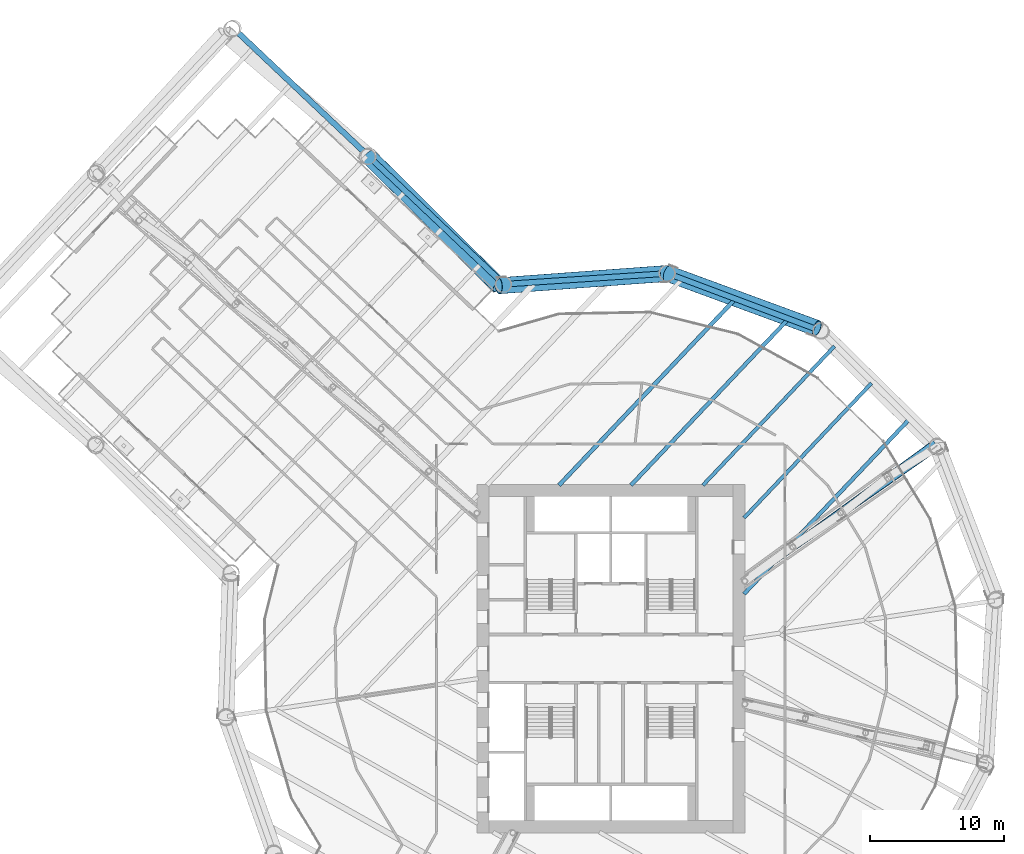
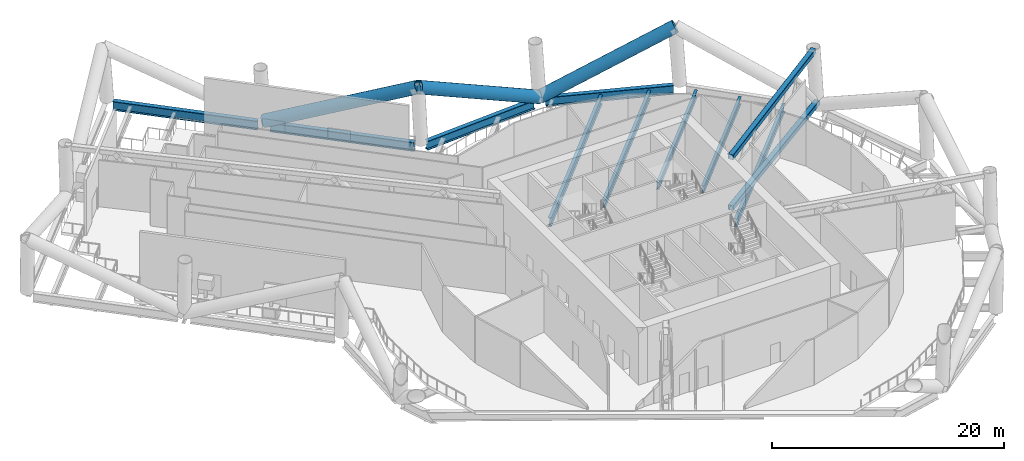
# One storey, part 11 of 39: 9 beams, 5 members.
"""IFC4 building model written with IfcOpenShell, lengths in metres."""

from ifc_helpers import new_model, si_unit, direction, frame, origin, origin_2d, place, context, subcontext, project, spatial, hollow_rectangle, hollow_circle, i_section, extrude, material, material_profile, profile_set, type_object, element, save


model = new_model("IFC4")

# Units and contexts
model_context = context("Model", 3, precision=1e-05, world=origin(), true_north=direction((0.0, 1.0)))
body_context = subcontext(model_context, "Body", "Model", "MODEL_VIEW")
ifc_project = project(units=[si_unit("LENGTHUNIT", "METRE"), si_unit("AREAUNIT", "SQUARE_METRE"), si_unit("VOLUMEUNIT", "CUBIC_METRE"), si_unit("PLANEANGLEUNIT", "RADIAN"), si_unit("MASSUNIT", "GRAM", prefix="KILO")], contexts=[model_context])

# Site, building, storey
site_placement = place(None, origin())
site = spatial("IfcSite", under=ifc_project, at=site_placement, CompositionType="ELEMENT")
building_placement = place(site_placement, origin())
building = spatial("IfcBuilding", under=site, at=building_placement, Name="Tarsis Ring Headquarters", CompositionType="ELEMENT")
storey_placement = place(building_placement, frame((0.0, 0.0, 86.800048828125)))
storey = spatial("IfcBuildingStorey", under=building, at=storey_placement, Name="L19", CompositionType="ELEMENT", Elevation=86.800048828125)

# Beams
ifc_material_1 = material(Name="Structural steel S355", Category="steel")
ifc_material_profile_1 = material_profile(ifc_material_1, i_section(OverallWidth=0.2666015625, OverallDepth=0.7568359375, WebThickness=0.013916015625, FlangeThickness=0.019287109375, at=origin_2d()), Name="W30x108")
ifc_profile_set_1 = profile_set([ifc_material_profile_1], Name="Structural steel S355")
beam_type_1 = type_object("IfcBeamType", Name="FB Floor beam W30x108", PredefinedType="JOIST", material=ifc_profile_set_1)
beam_1_placement = place(storey_placement, frame((19.447021484375, 20.550048828125, -0.678466796875), z_axis=(-0.687351767378, -0.726324684891, 0.0), x_axis=(0.726324684891, -0.687351767378, 0.0)))
element("IfcBeam", 1, at=beam_1_placement, inside=storey, type_object=beam_type_1, Name="Floor beam FB6", PredefinedType="JOIST", context=body_context, shape_type="SweptSolid", body=[
    extrude(i_section(OverallWidth=0.2666015625, OverallDepth=0.7568359375, WebThickness=0.013916015625, FlangeThickness=0.019287109375, at=origin_2d()), origin(), (0.0, 0.0, 1.0), 13.84423828125),
])
beam_2_placement = place(storey_placement, frame((16.683837890625, 23.30419921875, -0.678466796875), z_axis=(-0.687339751998, -0.726336055365, 0.0), x_axis=(0.726336055365, -0.687339751998, 0.0)))
element("IfcBeam", 2, at=beam_2_placement, inside=storey, type_object=beam_type_1, Name="Floor beam FB6", PredefinedType="JOIST", context=body_context, shape_type="SweptSolid", body=[
    extrude(i_section(OverallWidth=0.2666015625, OverallDepth=0.7568359375, WebThickness=0.013916015625, FlangeThickness=0.019287109375, at=origin_2d()), origin(), (0.0, 0.0, 1.0), 14.28662109375),
])
ifc_material_profile_2 = material_profile(ifc_material_1, i_section(OverallWidth=0.2919921875, OverallDepth=0.835693359375, WebThickness=0.013916015625, FlangeThickness=0.018798828125, at=origin_2d()), Name="W33x118")
ifc_profile_set_2 = profile_set([ifc_material_profile_2], Name="Structural steel S355")
beam_type_2 = type_object("IfcBeamType", Name="FB Floor beam W33x118", PredefinedType="JOIST", material=ifc_profile_set_2)
beam_3_placement = place(storey_placement, frame((22.2099609375, 17.7958984375, -0.718017578125), z_axis=(-0.687342727641, -0.72633323947, 0.0), x_axis=(0.72633323947, -0.687342727641, 0.0)))
element("IfcBeam", 3, at=beam_3_placement, inside=storey, type_object=beam_type_2, Name="Floor beam FB7", PredefinedType="JOIST", context=body_context, shape_type="SweptSolid", body=[
    extrude(i_section(OverallWidth=0.2919921875, OverallDepth=0.835693359375, WebThickness=0.013916015625, FlangeThickness=0.018798828125, at=origin_2d()), origin(), (0.0, 0.0, 1.0), 17.8642578125),
])
beam_4_placement = place(storey_placement, frame((13.165771484375, 25.2607421875, -0.718017578125), z_axis=(-0.68734175572, -0.726334159216, 0.0), x_axis=(0.726334159216, -0.68734175572, 0.0)))
element("IfcBeam", 4, at=beam_4_placement, inside=storey, type_object=beam_type_2, Name="Floor beam FB7", PredefinedType="JOIST", context=body_context, shape_type="SweptSolid", body=[
    extrude(i_section(OverallWidth=0.2919921875, OverallDepth=0.835693359375, WebThickness=0.013916015625, FlangeThickness=0.018798828125, at=origin_2d()), origin(), (0.0, 0.0, 1.0), 16.98046875),
])
ifc_material_profile_3 = material_profile(ifc_material_1, i_section(OverallWidth=0.3046875, OverallDepth=0.904296875, WebThickness=0.01513671875, FlangeThickness=0.02001953125, at=origin_2d()), Name="W36x135")
ifc_profile_set_3 = profile_set([ifc_material_profile_3], Name="Structural steel S355")
beam_type_3 = type_object("IfcBeamType", Name="FB Floor beam W36x135", PredefinedType="JOIST", material=ifc_profile_set_3)
beam_5_placement = place(storey_placement, frame((9.203125, 26.747314453125, -0.752197265625), z_axis=(-0.687340949329, -0.726334922316, 0.0), x_axis=(0.726334922316, -0.687340949329, 0.0)))
element("IfcBeam", 5, at=beam_5_placement, inside=storey, type_object=beam_type_3, Name="Floor beam FB8", PredefinedType="JOIST", context=body_context, shape_type="SweptSolid", body=[
    extrude(i_section(OverallWidth=0.3046875, OverallDepth=0.904296875, WebThickness=0.01513671875, FlangeThickness=0.02001953125, at=origin_2d()), origin(), (0.0, 0.0, 1.0), 19.027099609375),
])

# Members
ifc_material_profile_4 = material_profile(ifc_material_1, hollow_rectangle(XDim=0.508056640625, YDim=0.508056640625, WallThickness=0.025390625, InnerFilletRadius=0.025390625, OuterFilletRadius=0.05078125, at=origin_2d()), Name="HSS 508x508x25")
ifc_profile_set_4 = profile_set([ifc_material_profile_4], Name="Structural steel S355")
member_type_1 = type_object("IfcMemberType", Name="OC Outrigger chord HSS 508x508x25", PredefinedType="CHORD", material=ifc_profile_set_4)
member_1_placement = place(storey_placement, frame((10.0, 5.782958984375, 0.25390625), z_axis=(0.820381726586, 0.571816249055, 0.0), x_axis=(-0.571816249055, 0.820381726586, 0.0)))
element("IfcMember", 6, at=member_1_placement, inside=storey, type_object=member_type_1, Name="Outrigger chord OC1", PredefinedType="CHORD", context=body_context, shape_type="SweptSolid", body=[
    extrude(hollow_rectangle(XDim=0.508056640625, YDim=0.508056640625, WallThickness=0.025390625, InnerFilletRadius=0.025390625, OuterFilletRadius=0.05078125, at=origin_2d()), origin(), (0.0, 0.0, 1.0), 17.521484375),
])
member_2_placement = place(storey_placement, frame((10.0, 5.782958984375, 5.5859375), z_axis=(0.808763177449, 0.588134442795, 0.0), x_axis=(-0.588134442795, 0.808763177449, 0.0)))
element("IfcMember", 7, at=member_2_placement, inside=storey, type_object=member_type_1, Name="Outrigger chord OC1", PredefinedType="CHORD", context=body_context, shape_type="SweptSolid", body=[
    extrude(hollow_rectangle(XDim=0.508056640625, YDim=0.508056640625, WallThickness=0.025390625, InnerFilletRadius=0.025390625, OuterFilletRadius=0.05078125, at=origin_2d()), origin(), (0.0, 0.0, 1.0), 17.53466796875),
])
ifc_material_2 = material(Name="Structural steel S460", Category="steel")
ifc_material_profile_5 = material_profile(ifc_material_2, hollow_circle(Radius=0.609619140625, WallThickness=0.050048828125, at=origin_2d()), Name="CHS 1219x50")
ifc_profile_set_5 = profile_set([ifc_material_profile_5], Name="Structural steel S460")
member_type_2 = type_object("IfcMemberType", Name="TD Belt truss diagonal CHS 1219x50", PredefinedType="BRACE", material=ifc_profile_set_5)
member_3_placement = place(storey_placement, frame((4.23974609375, 28.737548828125, 0.0), z_axis=(0.837597222109, -0.307739750332, 0.451361428991), x_axis=(0.344867794947, 0.938651268581, 0.0)))
element("IfcMember", 8, at=member_3_placement, inside=storey, type_object=member_type_2, Name="Belt truss diagonal TD1", PredefinedType="BRACE", context=body_context, shape_type="SweptSolid", body=[
    extrude(hollow_circle(Radius=0.609619140625, WallThickness=0.050048828125, at=origin_2d()), origin(), (0.0, 0.0, 1.0), 13.293212890625),
])
member_4_placement = place(storey_placement, frame((4.23974609375, 28.737548828125, 0.0), z_axis=(-0.900934863846, -0.0656802583, 0.428955096458), x_axis=(0.072709378302, -0.9973531703, 0.0)))
element("IfcMember", 9, at=member_4_placement, inside=storey, type_object=member_type_2, Name="Belt truss diagonal TD1", PredefinedType="BRACE", context=body_context, shape_type="SweptSolid", body=[
    extrude(hollow_circle(Radius=0.609619140625, WallThickness=0.050048828125, at=origin_2d()), origin(), (0.0, 0.0, 1.0), 13.987548828125),
])
member_5_placement = place(storey_placement, frame((-18.080078125, 37.48583984375, 0.0), z_axis=(0.649470974353, -0.646060864225, 0.400989791878), x_axis=(0.70524308545, 0.708965577743, 0.0)))
element("IfcMember", 10, at=member_5_placement, inside=storey, type_object=member_type_2, Name="Belt truss diagonal TD1", PredefinedType="BRACE", context=body_context, shape_type="SweptSolid", body=[
    extrude(hollow_circle(Radius=0.609619140625, WallThickness=0.050048828125, at=origin_2d()), origin(), (0.0, 0.0, 1.0), 14.962890625),
])

# Beams
ifc_material_profile_6 = material_profile(ifc_material_1, i_section(OverallWidth=0.42431640625, OverallDepth=0.947509765625, WebThickness=0.02392578125, FlangeThickness=0.042724609375, at=origin_2d()), Name="W36x302")
ifc_profile_set_6 = profile_set([ifc_material_profile_6], Name="Structural steel S355")
beam_type_4 = type_object("IfcBeamType", Name="XG Ring girder W36x302", PredefinedType="BEAM", material=ifc_profile_set_6)
beam_6_placement = place(storey_placement, frame((15.1943359375, 24.627685546875, -0.4736328125), z_axis=(-0.936280583904, 0.351252997431, 0.0), x_axis=(-0.351252997431, -0.936280583904, 0.0)))
element("IfcBeam", 11, at=beam_6_placement, inside=storey, type_object=beam_type_4, Name="Ring girder XG1", PredefinedType="BEAM", context=body_context, shape_type="SweptSolid", body=[
    extrude(i_section(OverallWidth=0.42431640625, OverallDepth=0.947509765625, WebThickness=0.02392578125, FlangeThickness=0.042724609375, at=origin_2d()), origin(), (0.0, 0.0, 1.0), 11.1513671875),
])
beam_7_placement = place(storey_placement, frame((3.6923828125, 28.701171875, -0.4736328125), z_axis=(-0.997826424593, -0.065897089342, 0.0), x_axis=(0.065897089342, -0.997826424593, 0.0)))
element("IfcBeam", 12, at=beam_7_placement, inside=storey, type_object=beam_type_4, Name="Ring girder XG1", PredefinedType="BEAM", context=body_context, shape_type="SweptSolid", body=[
    extrude(i_section(OverallWidth=0.42431640625, OverallDepth=0.947509765625, WebThickness=0.02392578125, FlangeThickness=0.042724609375, at=origin_2d()), origin(), (0.0, 0.0, 1.0), 11.151611328125),
])
for number, where, z_axis, x_axis, name in (
    (13, (-8.380859375, 28.307373046875, -0.4736328125), (-0.726342350875, 0.68733309925, 0.0), (-0.68733309925, -0.726342350875, 0.0), "Ring girder XG1"),
    (14, (-18.478759765625, 37.86279296875, -0.4736328125), (-0.726323824712, 0.687352676328, 0.0), (-0.687352676328, -0.726323824712, 0.0), "Ring girder XG1"),
):
    element("IfcBeam", number, at=place(storey_placement, frame(where, z_axis=z_axis, x_axis=x_axis)), inside=storey, type_object=beam_type_4, Name=name, PredefinedType="BEAM", context=body_context, shape_type="SweptSolid", body=[
        extrude(i_section(OverallWidth=0.42431640625, OverallDepth=0.947509765625, WebThickness=0.02392578125, FlangeThickness=0.042724609375, at=origin_2d()), origin(), (0.0, 0.0, 1.0), 12.804931640625),
    ])

save(model, "model.ifc")
